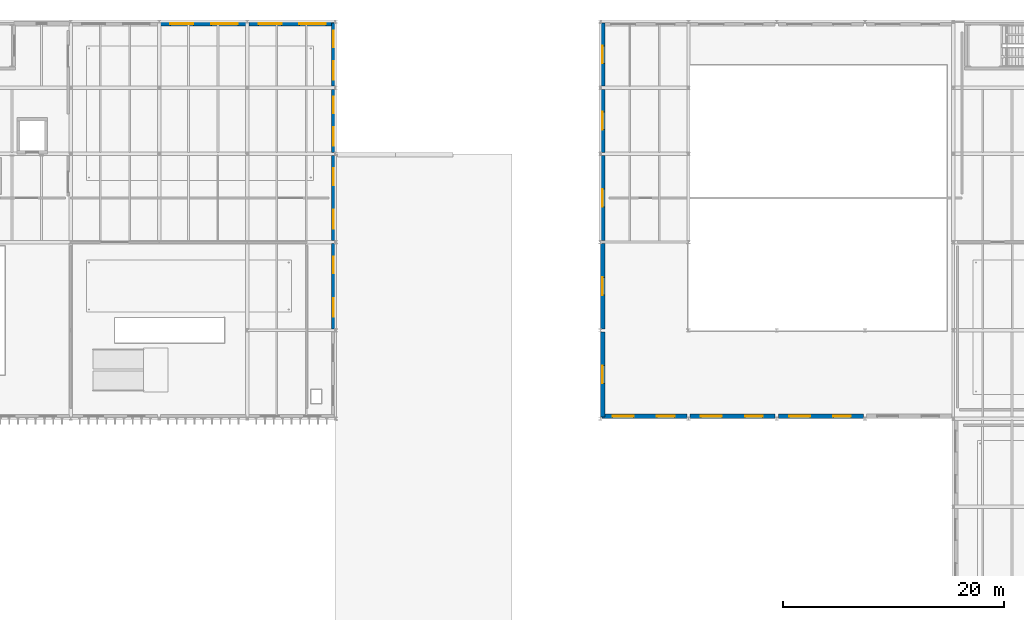
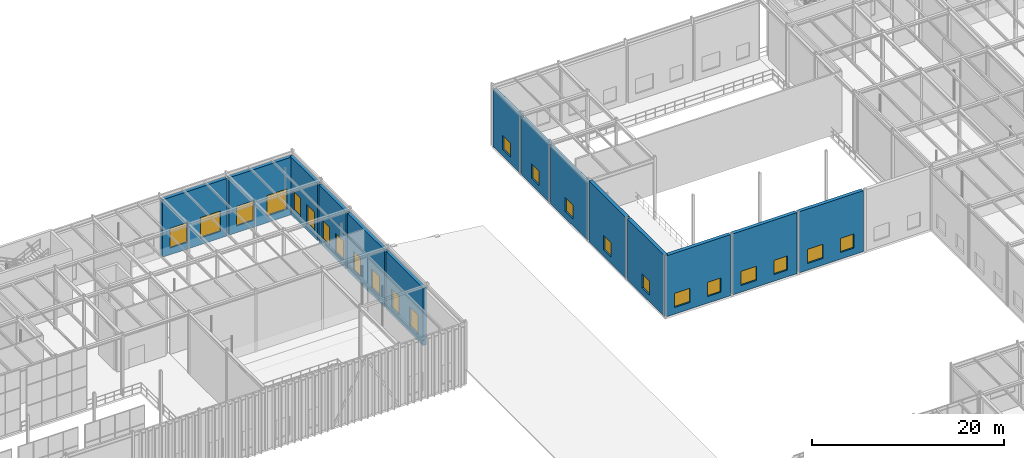
# One storey, part 94 of 138: 23 windows, 14 walls, 23 openings.
"""IFC4 building model written with IfcOpenShell, lengths in metres."""

from ifc_helpers import new_model, si_unit, direction, frame, frame_2d, origin, place, context, subcontext, project, spatial, rectangle, extrude, material, layer, layer_set, type_object, element, fill, save


model = new_model("IFC4")

# Units and contexts
model_context = context("Model", 3, precision=1e-05, world=origin(), true_north=direction((0.0, 1.0)))
body_context = subcontext(model_context, "Body", "Model", "MODEL_VIEW")
ifc_project = project(units=[si_unit("LENGTHUNIT", "METRE"), si_unit("AREAUNIT", "SQUARE_METRE"), si_unit("VOLUMEUNIT", "CUBIC_METRE"), si_unit("PLANEANGLEUNIT", "RADIAN"), si_unit("MASSUNIT", "GRAM", prefix="KILO")], contexts=[model_context])

# Site, building, storey
site_placement = place(None, origin())
site = spatial("IfcSite", under=ifc_project, at=site_placement, CompositionType="ELEMENT")
building_placement = place(site_placement, origin())
building = spatial("IfcBuilding", under=site, at=building_placement, Name="Sundkrona Museum", CompositionType="ELEMENT")
storey_placement = place(building_placement, frame((0.0, 0.0, 9.60009765625)))
storey = spatial("IfcBuildingStorey", under=building, at=storey_placement, Name="L02", CompositionType="ELEMENT", Elevation=9.60009765625)

# Wall, openings, windows
ifc_material_1 = material(Name="Scanian Polychrome Clay Brickwork 390 mm", Category="masonry")
ifc_layer_1 = layer(ifc_material_1, 0.389892578125)
ifc_layer_set_1 = layer_set([ifc_layer_1], Name="Scanian Polychrome Clay Brickwork 390 mm")
wall_type_1 = type_object("IfcWallType", Name="W-EX-390", PredefinedType="SOLIDWALL", material=ifc_layer_set_1)
wall_1_placement = place(storey_placement, frame((64.132080078125, 113.804931640625, 0.0), z_axis=(0.0, 0.0, 1.0), x_axis=(1.0, 0.0, 0.0)))
wall_1 = element("IfcWall", 1, at=wall_1_placement, inside=storey, type_object=wall_type_1, Name="L02 Facade Wall 0152", PredefinedType="SOLIDWALL", context=body_context, shape_type="SweptSolid", body=[
    extrude(rectangle(XDim=7.73583984375, YDim=0.389892578125, at=frame_2d((3.867919921875, 0.0))), origin(), (0.0, 0.0, 1.0), 7.304931640625),
])
opening_1_placement = place(wall_1_placement, frame((0.884033203125, 0.0, 0.85009765625)))
opening_1 = element("IfcOpeningElement", 2, at=opening_1_placement, cuts=wall_1, Name="Opening WN-GL-210x250", PredefinedType="OPENING", context=body_context, shape_type="SweptSolid", body=[
    extrude(rectangle(XDim=2.10009765625, YDim=2.5, at=frame_2d((1.050048828125, 1.25))), frame((0.0, 0.204833984375, 0.0), z_axis=(0.0, -1.0, 0.0), x_axis=(1.0, 0.0, 0.0)), (0.0, 0.0, 1.0), 0.409912109375),
])
opening_2_placement = place(wall_1_placement, frame((4.60205078125, 0.0, 0.85009765625)))
opening_2 = element("IfcOpeningElement", 3, at=opening_2_placement, cuts=wall_1, Name="Opening WN-GL-240x260", PredefinedType="OPENING", context=body_context, shape_type="SweptSolid", body=[
    extrude(rectangle(XDim=2.39990234375, YDim=2.60009765625, at=frame_2d((1.199951171875, 1.300048828125))), frame((0.0, 0.204833984375, 0.0), z_axis=(0.0, -1.0, 0.0), x_axis=(1.0, 0.0, 0.0)), (0.0, 0.0, 1.0), 0.409912109375),
])
ifc_material_2 = material(Name="Triple Low-E Argon Glazing in Bronze-Anodised Aluminium", Category="aluminium")
window_type_1 = type_object("IfcWindowType", Name="WN-GL-210x250", PartitioningType="DOUBLE_PANEL_VERTICAL", PredefinedType="WINDOW", material=ifc_material_2)
window_1_placement = place(opening_1_placement, origin())
window_1 = element("IfcWindow", 4, at=window_1_placement, inside=storey, type_object=window_type_1, Name="L02 Botanical court outlook window 2100x2500 WIN-L02-0208", OverallHeight=2.5, OverallWidth=2.10009765625, PartitioningType="DOUBLE_PANEL_VERTICAL", PredefinedType="WINDOW", context=body_context, shape_type="SweptSolid", body=[
    extrude(rectangle(XDim=2.10009765625, YDim=2.5, at=frame_2d((1.050048828125, 1.25))), frame((0.0, 0.030029296875, 0.0), z_axis=(0.0, -1.0, 0.0), x_axis=(1.0, 0.0, 0.0)), (0.0, 0.0, 1.0), 0.06005859375),
])
fill(opening_1, window_1)
window_type_2 = type_object("IfcWindowType", Name="WN-GL-240x260", PartitioningType="TRIPLE_PANEL_VERTICAL", PredefinedType="WINDOW", material=ifc_material_2)
window_2_placement = place(opening_2_placement, origin())
window_2 = element("IfcWindow", 5, at=window_2_placement, inside=storey, type_object=window_type_2, Name="L02 Cloister garden picture window 2400x2600 WIN-L02-0209", OverallHeight=2.60009765625, OverallWidth=2.39990234375, PartitioningType="TRIPLE_PANEL_VERTICAL", PredefinedType="WINDOW", context=body_context, shape_type="SweptSolid", body=[
    extrude(rectangle(XDim=2.39990234375, YDim=2.60009765625, at=frame_2d((1.199951171875, 1.300048828125))), frame((0.0, 0.030029296875, 0.0), z_axis=(0.0, -1.0, 0.0), x_axis=(1.0, 0.0, 0.0)), (0.0, 0.0, 1.0), 0.06005859375),
])
fill(opening_2, window_2)

wall_2_placement = place(storey_placement, frame((72.132080078125, 113.804931640625, 0.0), z_axis=(0.0, 0.0, 1.0), x_axis=(1.0, 0.0, 0.0)))
wall_2 = element("IfcWall", 6, at=wall_2_placement, inside=storey, type_object=wall_type_1, Name="L02 Facade Wall 0153", PredefinedType="SOLIDWALL", context=body_context, shape_type="SweptSolid", body=[
    extrude(rectangle(XDim=7.725830078125, YDim=0.389892578125, at=frame_2d((3.86279296875, 0.0))), origin(), (0.0, 0.0, 1.0), 7.304931640625),
])
opening_3_placement = place(wall_2_placement, frame((0.881591796875, 0.0, 0.85009765625)))
opening_3 = element("IfcOpeningElement", 7, at=opening_3_placement, cuts=wall_2, Name="Opening WN-GL-210x250", PredefinedType="OPENING", context=body_context, shape_type="SweptSolid", body=[
    extrude(rectangle(XDim=2.10009765625, YDim=2.5, at=frame_2d((1.050048828125, 1.25))), frame((0.0, 0.204833984375, 0.0), z_axis=(0.0, -1.0, 0.0), x_axis=(1.0, 0.0, 0.0)), (0.0, 0.0, 1.0), 0.409912109375),
])
opening_4_placement = place(wall_2_placement, frame((4.594482421875, 0.0, 0.85009765625)))
opening_4 = element("IfcOpeningElement", 8, at=opening_4_placement, cuts=wall_2, Name="Opening WN-GL-240x260", PredefinedType="OPENING", context=body_context, shape_type="SweptSolid", body=[
    extrude(rectangle(XDim=2.39990234375, YDim=2.60009765625, at=frame_2d((1.199951171875, 1.300048828125))), frame((0.0, 0.204833984375, 0.0), z_axis=(0.0, -1.0, 0.0), x_axis=(1.0, 0.0, 0.0)), (0.0, 0.0, 1.0), 0.409912109375),
])
window_3_placement = place(opening_3_placement, origin())
window_3 = element("IfcWindow", 9, at=window_3_placement, inside=storey, type_object=window_type_1, Name="L02 Botanical court outlook window 2100x2500 WIN-L02-0210", OverallHeight=2.5, OverallWidth=2.10009765625, PartitioningType="DOUBLE_PANEL_VERTICAL", PredefinedType="WINDOW", context=body_context, shape_type="SweptSolid", body=[
    extrude(rectangle(XDim=2.10009765625, YDim=2.5, at=frame_2d((1.050048828125, 1.25))), frame((0.0, 0.030029296875, 0.0), z_axis=(0.0, -1.0, 0.0), x_axis=(1.0, 0.0, 0.0)), (0.0, 0.0, 1.0), 0.06005859375),
])
fill(opening_3, window_3)
window_4_placement = place(opening_4_placement, origin())
window_4 = element("IfcWindow", 10, at=window_4_placement, inside=storey, type_object=window_type_2, Name="L02 Cloister garden picture window 2400x2600 WIN-L02-0211", OverallHeight=2.60009765625, OverallWidth=2.39990234375, PartitioningType="TRIPLE_PANEL_VERTICAL", PredefinedType="WINDOW", context=body_context, shape_type="SweptSolid", body=[
    extrude(rectangle(XDim=2.39990234375, YDim=2.60009765625, at=frame_2d((1.199951171875, 1.300048828125))), frame((0.0, 0.030029296875, 0.0), z_axis=(0.0, -1.0, 0.0), x_axis=(1.0, 0.0, 0.0)), (0.0, 0.0, 1.0), 0.06005859375),
])
fill(opening_4, window_4)

wall_3_placement = place(storey_placement, frame((79.804931640625, 93.85791015625, 0.0), z_axis=(0.0, 0.0, 1.0), x_axis=(0.0, -1.0, 0.0)))
wall_3 = element("IfcWall", 11, at=wall_3_placement, inside=storey, type_object=wall_type_1, Name="L02 Facade Wall 0256", PredefinedType="SOLIDWALL", context=body_context, shape_type="SweptSolid", body=[
    extrude(rectangle(XDim=7.7158203125, YDim=0.389892578125, at=frame_2d((3.85791015625, 0.0))), origin(), (0.0, 0.0, 1.0), 7.304931640625),
])
opening_5_placement = place(wall_3_placement, frame((1.178955078125, 0.0, 0.85009765625)))
opening_5 = element("IfcOpeningElement", 12, at=opening_5_placement, cuts=wall_3, Name="Opening WN-GL-150x240", PredefinedType="OPENING", context=body_context, shape_type="SweptSolid", body=[
    extrude(rectangle(XDim=1.5, YDim=2.39990234375, at=frame_2d((0.75, 1.199951171875))), frame((0.0, 0.204833984375, 0.0), z_axis=(0.0, -1.0, 0.0), x_axis=(1.0, 0.0, 0.0)), (0.0, 0.0, 1.0), 0.409912109375),
])
opening_6_placement = place(wall_3_placement, frame((4.93701171875, 0.0, 0.85009765625)))
opening_6 = element("IfcOpeningElement", 13, at=opening_6_placement, cuts=wall_3, Name="Opening WN-GL-170x240", PredefinedType="OPENING", context=body_context, shape_type="SweptSolid", body=[
    extrude(rectangle(XDim=1.699951171875, YDim=2.39990234375, at=frame_2d((0.85009765625, 1.199951171875))), frame((0.0, 0.204833984375, 0.0), z_axis=(0.0, -1.0, 0.0), x_axis=(1.0, 0.0, 0.0)), (0.0, 0.0, 1.0), 0.409912109375),
])
window_type_3 = type_object("IfcWindowType", Name="WN-GL-150x240", PartitioningType="SINGLE_PANEL", PredefinedType="WINDOW", material=ifc_material_2)
window_5_placement = place(opening_5_placement, origin())
window_5 = element("IfcWindow", 14, at=window_5_placement, inside=storey, type_object=window_type_3, Name="L02 Finned wing deep-reveal gallery window 1500x2400 WIN-L02-0352", OverallHeight=2.39990234375, OverallWidth=1.5, PartitioningType="SINGLE_PANEL", PredefinedType="WINDOW", context=body_context, shape_type="SweptSolid", body=[
    extrude(rectangle(XDim=1.5, YDim=2.39990234375, at=frame_2d((0.75, 1.199951171875))), frame((0.0, 0.030029296875, 0.0), z_axis=(0.0, -1.0, 0.0), x_axis=(1.0, 0.0, 0.0)), (0.0, 0.0, 1.0), 0.06005859375),
])
fill(opening_5, window_5)
window_type_4 = type_object("IfcWindowType", Name="WN-GL-170x240", PartitioningType="DOUBLE_PANEL_VERTICAL", PredefinedType="WINDOW", material=ifc_material_2)
window_6_placement = place(opening_6_placement, origin())
window_6 = element("IfcWindow", 15, at=window_6_placement, inside=storey, type_object=window_type_4, Name="L02 Finned wing wide gallery window 1700x2400 WIN-L02-0353", OverallHeight=2.39990234375, OverallWidth=1.699951171875, PartitioningType="DOUBLE_PANEL_VERTICAL", PredefinedType="WINDOW", context=body_context, shape_type="SweptSolid", body=[
    extrude(rectangle(XDim=1.699951171875, YDim=2.39990234375, at=frame_2d((0.85009765625, 1.199951171875))), frame((0.0, 0.030029296875, 0.0), z_axis=(0.0, -1.0, 0.0), x_axis=(1.0, 0.0, 0.0)), (0.0, 0.0, 1.0), 0.06005859375),
])
fill(opening_6, window_6)

wall_4_placement = place(storey_placement, frame((79.804931640625, 101.85791015625, 0.0), z_axis=(0.0, 0.0, 1.0), x_axis=(0.0, -1.0, 0.0)))
wall_4 = element("IfcWall", 16, at=wall_4_placement, inside=storey, type_object=wall_type_1, Name="L02 Facade Wall 0257", PredefinedType="SOLIDWALL", context=body_context, shape_type="SweptSolid", body=[
    extrude(rectangle(XDim=7.7158203125, YDim=0.389892578125, at=frame_2d((3.85791015625, 0.0))), origin(), (0.0, 0.0, 1.0), 7.304931640625),
])
opening_7_placement = place(wall_4_placement, frame((1.178955078125, 0.0, 0.85009765625)))
opening_7 = element("IfcOpeningElement", 17, at=opening_7_placement, cuts=wall_4, Name="Opening WN-GL-150x240", PredefinedType="OPENING", context=body_context, shape_type="SweptSolid", body=[
    extrude(rectangle(XDim=1.5, YDim=2.39990234375, at=frame_2d((0.75, 1.199951171875))), frame((0.0, 0.204833984375, 0.0), z_axis=(0.0, -1.0, 0.0), x_axis=(1.0, 0.0, 0.0)), (0.0, 0.0, 1.0), 0.409912109375),
])
opening_8_placement = place(wall_4_placement, frame((4.93701171875, 0.0, 0.85009765625)))
opening_8 = element("IfcOpeningElement", 18, at=opening_8_placement, cuts=wall_4, Name="Opening WN-GL-170x240", PredefinedType="OPENING", context=body_context, shape_type="SweptSolid", body=[
    extrude(rectangle(XDim=1.699951171875, YDim=2.39990234375, at=frame_2d((0.85009765625, 1.199951171875))), frame((0.0, 0.204833984375, 0.0), z_axis=(0.0, -1.0, 0.0), x_axis=(1.0, 0.0, 0.0)), (0.0, 0.0, 1.0), 0.409912109375),
])
window_7_placement = place(opening_7_placement, origin())
window_7 = element("IfcWindow", 19, at=window_7_placement, inside=storey, type_object=window_type_3, Name="L02 Finned wing deep-reveal gallery window 1500x2400 WIN-L02-0354", OverallHeight=2.39990234375, OverallWidth=1.5, PartitioningType="SINGLE_PANEL", PredefinedType="WINDOW", context=body_context, shape_type="SweptSolid", body=[
    extrude(rectangle(XDim=1.5, YDim=2.39990234375, at=frame_2d((0.75, 1.199951171875))), frame((0.0, 0.030029296875, 0.0), z_axis=(0.0, -1.0, 0.0), x_axis=(1.0, 0.0, 0.0)), (0.0, 0.0, 1.0), 0.06005859375),
])
fill(opening_7, window_7)
window_8_placement = place(opening_8_placement, origin())
window_8 = element("IfcWindow", 20, at=window_8_placement, inside=storey, type_object=window_type_4, Name="L02 Finned wing wide gallery window 1700x2400 WIN-L02-0355", OverallHeight=2.39990234375, OverallWidth=1.699951171875, PartitioningType="DOUBLE_PANEL_VERTICAL", PredefinedType="WINDOW", context=body_context, shape_type="SweptSolid", body=[
    extrude(rectangle(XDim=1.699951171875, YDim=2.39990234375, at=frame_2d((0.85009765625, 1.199951171875))), frame((0.0, 0.030029296875, 0.0), z_axis=(0.0, -1.0, 0.0), x_axis=(1.0, 0.0, 0.0)), (0.0, 0.0, 1.0), 0.06005859375),
])
fill(opening_8, window_8)

wall_5_placement = place(storey_placement, frame((79.804931640625, 107.85791015625, 0.0), z_axis=(0.0, 0.0, 1.0), x_axis=(0.0, -1.0, 0.0)))
wall_5 = element("IfcWall", 21, at=wall_5_placement, inside=storey, type_object=wall_type_1, Name="L02 Facade Wall 0258", PredefinedType="SOLIDWALL", context=body_context, shape_type="SweptSolid", body=[
    extrude(rectangle(XDim=5.7158203125, YDim=0.389892578125, at=frame_2d((2.85791015625, 0.0))), origin(), (0.0, 0.0, 1.0), 7.304931640625),
])
opening_9_placement = place(wall_5_placement, frame((0.678955078125, 0.0, 0.85009765625)))
opening_9 = element("IfcOpeningElement", 22, at=opening_9_placement, cuts=wall_5, Name="Opening WN-GL-150x240", PredefinedType="OPENING", context=body_context, shape_type="SweptSolid", body=[
    extrude(rectangle(XDim=1.5, YDim=2.39990234375, at=frame_2d((0.75, 1.199951171875))), frame((0.0, 0.204833984375, 0.0), z_axis=(0.0, -1.0, 0.0), x_axis=(1.0, 0.0, 0.0)), (0.0, 0.0, 1.0), 0.409912109375),
])
opening_10_placement = place(wall_5_placement, frame((3.43701171875, 0.0, 0.85009765625)))
opening_10 = element("IfcOpeningElement", 23, at=opening_10_placement, cuts=wall_5, Name="Opening WN-GL-170x240", PredefinedType="OPENING", context=body_context, shape_type="SweptSolid", body=[
    extrude(rectangle(XDim=1.699951171875, YDim=2.39990234375, at=frame_2d((0.85009765625, 1.199951171875))), frame((0.0, 0.204833984375, 0.0), z_axis=(0.0, -1.0, 0.0), x_axis=(1.0, 0.0, 0.0)), (0.0, 0.0, 1.0), 0.409912109375),
])
window_9_placement = place(opening_9_placement, origin())
window_9 = element("IfcWindow", 24, at=window_9_placement, inside=storey, type_object=window_type_3, Name="L02 Finned wing deep-reveal gallery window 1500x2400 WIN-L02-0356", OverallHeight=2.39990234375, OverallWidth=1.5, PartitioningType="SINGLE_PANEL", PredefinedType="WINDOW", context=body_context, shape_type="SweptSolid", body=[
    extrude(rectangle(XDim=1.5, YDim=2.39990234375, at=frame_2d((0.75, 1.199951171875))), frame((0.0, 0.030029296875, 0.0), z_axis=(0.0, -1.0, 0.0), x_axis=(1.0, 0.0, 0.0)), (0.0, 0.0, 1.0), 0.06005859375),
])
fill(opening_9, window_9)
window_10_placement = place(opening_10_placement, origin())
window_10 = element("IfcWindow", 25, at=window_10_placement, inside=storey, type_object=window_type_4, Name="L02 Finned wing wide gallery window 1700x2400 WIN-L02-0357", OverallHeight=2.39990234375, OverallWidth=1.699951171875, PartitioningType="DOUBLE_PANEL_VERTICAL", PredefinedType="WINDOW", context=body_context, shape_type="SweptSolid", body=[
    extrude(rectangle(XDim=1.699951171875, YDim=2.39990234375, at=frame_2d((0.85009765625, 1.199951171875))), frame((0.0, 0.030029296875, 0.0), z_axis=(0.0, -1.0, 0.0), x_axis=(1.0, 0.0, 0.0)), (0.0, 0.0, 1.0), 0.06005859375),
])
fill(opening_10, window_10)

wall_6_placement = place(storey_placement, frame((79.804931640625, 113.85791015625, 0.0), z_axis=(0.0, 0.0, 1.0), x_axis=(0.0, -1.0, 0.0)))
wall_6 = element("IfcWall", 26, at=wall_6_placement, inside=storey, type_object=wall_type_1, Name="L02 Facade Wall 0259", PredefinedType="SOLIDWALL", context=body_context, shape_type="SweptSolid", body=[
    extrude(rectangle(XDim=5.7158203125, YDim=0.389892578125, at=frame_2d((2.85791015625, 0.0))), origin(), (0.0, 0.0, 1.0), 7.304931640625),
])
opening_11_placement = place(wall_6_placement, frame((0.678955078125, 0.0, 0.85009765625)))
opening_11 = element("IfcOpeningElement", 27, at=opening_11_placement, cuts=wall_6, Name="Opening WN-GL-150x240", PredefinedType="OPENING", context=body_context, shape_type="SweptSolid", body=[
    extrude(rectangle(XDim=1.5, YDim=2.39990234375, at=frame_2d((0.75, 1.199951171875))), frame((0.0, 0.204833984375, 0.0), z_axis=(0.0, -1.0, 0.0), x_axis=(1.0, 0.0, 0.0)), (0.0, 0.0, 1.0), 0.409912109375),
])
opening_12_placement = place(wall_6_placement, frame((3.43701171875, 0.0, 0.85009765625)))
opening_12 = element("IfcOpeningElement", 28, at=opening_12_placement, cuts=wall_6, Name="Opening WN-GL-170x240", PredefinedType="OPENING", context=body_context, shape_type="SweptSolid", body=[
    extrude(rectangle(XDim=1.699951171875, YDim=2.39990234375, at=frame_2d((0.85009765625, 1.199951171875))), frame((0.0, 0.204833984375, 0.0), z_axis=(0.0, -1.0, 0.0), x_axis=(1.0, 0.0, 0.0)), (0.0, 0.0, 1.0), 0.409912109375),
])
window_11_placement = place(opening_11_placement, origin())
window_11 = element("IfcWindow", 29, at=window_11_placement, inside=storey, type_object=window_type_3, Name="L02 Finned wing deep-reveal gallery window 1500x2400 WIN-L02-0358", OverallHeight=2.39990234375, OverallWidth=1.5, PartitioningType="SINGLE_PANEL", PredefinedType="WINDOW", context=body_context, shape_type="SweptSolid", body=[
    extrude(rectangle(XDim=1.5, YDim=2.39990234375, at=frame_2d((0.75, 1.199951171875))), frame((0.0, 0.030029296875, 0.0), z_axis=(0.0, -1.0, 0.0), x_axis=(1.0, 0.0, 0.0)), (0.0, 0.0, 1.0), 0.06005859375),
])
fill(opening_11, window_11)
window_12_placement = place(opening_12_placement, origin())
window_12 = element("IfcWindow", 30, at=window_12_placement, inside=storey, type_object=window_type_4, Name="L02 Finned wing wide gallery window 1700x2400 WIN-L02-0359", OverallHeight=2.39990234375, OverallWidth=1.699951171875, PartitioningType="DOUBLE_PANEL_VERTICAL", PredefinedType="WINDOW", context=body_context, shape_type="SweptSolid", body=[
    extrude(rectangle(XDim=1.699951171875, YDim=2.39990234375, at=frame_2d((0.85009765625, 1.199951171875))), frame((0.0, 0.030029296875, 0.0), z_axis=(0.0, -1.0, 0.0), x_axis=(1.0, 0.0, 0.0)), (0.0, 0.0, 1.0), 0.06005859375),
])
fill(opening_12, window_12)

# Wall, opening, window
ifc_material_3 = material(Name="Scanian Polychrome Clay Brickwork 420 mm", Category="masonry")
ifc_layer_2 = layer(ifc_material_3, 0.419921875)
ifc_layer_set_2 = layer_set([ifc_layer_2], Name="Scanian Polychrome Clay Brickwork 420 mm")
wall_type_2 = type_object("IfcWallType", Name="W-EX-420", PredefinedType="SOLIDWALL", material=ifc_layer_set_2)
wall_7_placement = place(storey_placement, frame((104.2099609375, 78.14208984375, 0.0), z_axis=(0.0, 0.0, 1.0), x_axis=(0.0, 1.0, 0.0)))
wall_7 = element("IfcWall", 31, at=wall_7_placement, inside=storey, type_object=wall_type_2, Name="L02 Facade Wall 0291", PredefinedType="SOLIDWALL", context=body_context, shape_type="SweptSolid", body=[
    extrude(rectangle(XDim=7.7158203125, YDim=0.419921875, at=frame_2d((3.85791015625, 0.0))), origin(), (0.0, 0.0, 1.0), 7.760009765625),
])
opening_13_placement = place(wall_7_placement, frame((3.05810546875, 0.0, 0.85009765625)))
opening_13 = element("IfcOpeningElement", 32, at=opening_13_placement, cuts=wall_7, Name="Opening WN-LB-160x180", PredefinedType="OPENING", context=body_context, shape_type="SweptSolid", body=[
    extrude(rectangle(XDim=1.60009765625, YDim=1.800048828125, at=frame_2d((0.800048828125, 0.89990234375))), frame((0.0, 0.219970703125, 0.0), z_axis=(0.0, -1.0, 0.0), x_axis=(1.0, 0.0, 0.0)), (0.0, 0.0, 1.0), 0.43994140625),
])
window_type_5 = type_object("IfcWindowType", Name="WN-LB-160x180", PartitioningType="DOUBLE_PANEL_VERTICAL", PredefinedType="WINDOW", material=ifc_material_2)
window_13_placement = place(opening_13_placement, origin())
window_13 = element("IfcWindow", 33, at=window_13_placement, inside=storey, type_object=window_type_5, Name="L02 Conservation laboratory deep-reveal window 1600x1800 WIN-L02-0396", OverallHeight=1.800048828125, OverallWidth=1.60009765625, PartitioningType="DOUBLE_PANEL_VERTICAL", PredefinedType="WINDOW", context=body_context, shape_type="SweptSolid", body=[
    extrude(rectangle(XDim=1.60009765625, YDim=1.800048828125, at=frame_2d((0.800048828125, 0.89990234375))), frame((0.0, 0.030029296875, 0.0), z_axis=(0.0, -1.0, 0.0), x_axis=(1.0, 0.0, 0.0)), (0.0, 0.0, 1.0), 0.06005859375),
])
fill(opening_13, window_13)

wall_8_placement = place(storey_placement, frame((104.2099609375, 86.14208984375, 0.0), z_axis=(0.0, 0.0, 1.0), x_axis=(0.0, 1.0, 0.0)))
wall_8 = element("IfcWall", 34, at=wall_8_placement, inside=storey, type_object=wall_type_2, Name="L02 Facade Wall 0292", PredefinedType="SOLIDWALL", context=body_context, shape_type="SweptSolid", body=[
    extrude(rectangle(XDim=7.7158203125, YDim=0.419921875, at=frame_2d((3.85791015625, 0.0))), origin(), (0.0, 0.0, 1.0), 7.760009765625),
])
opening_14_placement = place(wall_8_placement, frame((3.05810546875, 0.0, 0.85009765625)))
opening_14 = element("IfcOpeningElement", 35, at=opening_14_placement, cuts=wall_8, Name="Opening WN-LB-160x180", PredefinedType="OPENING", context=body_context, shape_type="SweptSolid", body=[
    extrude(rectangle(XDim=1.60009765625, YDim=1.800048828125, at=frame_2d((0.800048828125, 0.89990234375))), frame((0.0, 0.219970703125, 0.0), z_axis=(0.0, -1.0, 0.0), x_axis=(1.0, 0.0, 0.0)), (0.0, 0.0, 1.0), 0.43994140625),
])
window_14_placement = place(opening_14_placement, origin())
window_14 = element("IfcWindow", 36, at=window_14_placement, inside=storey, type_object=window_type_5, Name="L02 Conservation laboratory deep-reveal window 1600x1800 WIN-L02-0397", OverallHeight=1.800048828125, OverallWidth=1.60009765625, PartitioningType="DOUBLE_PANEL_VERTICAL", PredefinedType="WINDOW", context=body_context, shape_type="SweptSolid", body=[
    extrude(rectangle(XDim=1.60009765625, YDim=1.800048828125, at=frame_2d((0.800048828125, 0.89990234375))), frame((0.0, 0.030029296875, 0.0), z_axis=(0.0, -1.0, 0.0), x_axis=(1.0, 0.0, 0.0)), (0.0, 0.0, 1.0), 0.06005859375),
])
fill(opening_14, window_14)

wall_9_placement = place(storey_placement, frame((104.2099609375, 94.14208984375, 0.0), z_axis=(0.0, 0.0, 1.0), x_axis=(0.0, 1.0, 0.0)))
wall_9 = element("IfcWall", 37, at=wall_9_placement, inside=storey, type_object=wall_type_2, Name="L02 Facade Wall 0293", PredefinedType="SOLIDWALL", context=body_context, shape_type="SweptSolid", body=[
    extrude(rectangle(XDim=7.7158203125, YDim=0.419921875, at=frame_2d((3.85791015625, 0.0))), origin(), (0.0, 0.0, 1.0), 7.284912109375),
])
opening_15_placement = place(wall_9_placement, frame((3.05810546875, 0.0, 0.85009765625)))
opening_15 = element("IfcOpeningElement", 38, at=opening_15_placement, cuts=wall_9, Name="Opening WN-LB-160x180", PredefinedType="OPENING", context=body_context, shape_type="SweptSolid", body=[
    extrude(rectangle(XDim=1.60009765625, YDim=1.800048828125, at=frame_2d((0.800048828125, 0.89990234375))), frame((0.0, 0.219970703125, 0.0), z_axis=(0.0, -1.0, 0.0), x_axis=(1.0, 0.0, 0.0)), (0.0, 0.0, 1.0), 0.43994140625),
])
window_15_placement = place(opening_15_placement, origin())
window_15 = element("IfcWindow", 39, at=window_15_placement, inside=storey, type_object=window_type_5, Name="L02 Conservation laboratory deep-reveal window 1600x1800 WIN-L02-0398", OverallHeight=1.800048828125, OverallWidth=1.60009765625, PartitioningType="DOUBLE_PANEL_VERTICAL", PredefinedType="WINDOW", context=body_context, shape_type="SweptSolid", body=[
    extrude(rectangle(XDim=1.60009765625, YDim=1.800048828125, at=frame_2d((0.800048828125, 0.89990234375))), frame((0.0, 0.030029296875, 0.0), z_axis=(0.0, -1.0, 0.0), x_axis=(1.0, 0.0, 0.0)), (0.0, 0.0, 1.0), 0.06005859375),
])
fill(opening_15, window_15)

wall_10_placement = place(storey_placement, frame((104.2099609375, 102.14208984375, 0.0), z_axis=(0.0, 0.0, 1.0), x_axis=(0.0, 1.0, 0.0)))
wall_10 = element("IfcWall", 40, at=wall_10_placement, inside=storey, type_object=wall_type_2, Name="L02 Facade Wall 0294", PredefinedType="SOLIDWALL", context=body_context, shape_type="SweptSolid", body=[
    extrude(rectangle(XDim=5.7158203125, YDim=0.419921875, at=frame_2d((2.85791015625, 0.0))), origin(), (0.0, 0.0, 1.0), 7.284912109375),
])
opening_16_placement = place(wall_10_placement, frame((2.05810546875, 0.0, 0.85009765625)))
opening_16 = element("IfcOpeningElement", 41, at=opening_16_placement, cuts=wall_10, Name="Opening WN-LB-160x180", PredefinedType="OPENING", context=body_context, shape_type="SweptSolid", body=[
    extrude(rectangle(XDim=1.60009765625, YDim=1.800048828125, at=frame_2d((0.800048828125, 0.89990234375))), frame((0.0, 0.219970703125, 0.0), z_axis=(0.0, -1.0, 0.0), x_axis=(1.0, 0.0, 0.0)), (0.0, 0.0, 1.0), 0.43994140625),
])
window_16_placement = place(opening_16_placement, origin())
window_16 = element("IfcWindow", 42, at=window_16_placement, inside=storey, type_object=window_type_5, Name="L02 Conservation laboratory deep-reveal window 1600x1800 WIN-L02-0399", OverallHeight=1.800048828125, OverallWidth=1.60009765625, PartitioningType="DOUBLE_PANEL_VERTICAL", PredefinedType="WINDOW", context=body_context, shape_type="SweptSolid", body=[
    extrude(rectangle(XDim=1.60009765625, YDim=1.800048828125, at=frame_2d((0.800048828125, 0.89990234375))), frame((0.0, 0.030029296875, 0.0), z_axis=(0.0, -1.0, 0.0), x_axis=(1.0, 0.0, 0.0)), (0.0, 0.0, 1.0), 0.06005859375),
])
fill(opening_16, window_16)

wall_11_placement = place(storey_placement, frame((104.2099609375, 108.14208984375, 0.0), z_axis=(0.0, 0.0, 1.0), x_axis=(0.0, 1.0, 0.0)))
wall_11 = element("IfcWall", 43, at=wall_11_placement, inside=storey, type_object=wall_type_2, Name="L02 Facade Wall 0295", PredefinedType="SOLIDWALL", context=body_context, shape_type="SweptSolid", body=[
    extrude(rectangle(XDim=5.7158203125, YDim=0.419921875, at=frame_2d((2.85791015625, 0.0))), origin(), (0.0, 0.0, 1.0), 7.284912109375),
])
opening_17_placement = place(wall_11_placement, frame((2.05810546875, 0.0, 0.85009765625)))
opening_17 = element("IfcOpeningElement", 44, at=opening_17_placement, cuts=wall_11, Name="Opening WN-LB-160x180", PredefinedType="OPENING", context=body_context, shape_type="SweptSolid", body=[
    extrude(rectangle(XDim=1.60009765625, YDim=1.800048828125, at=frame_2d((0.800048828125, 0.89990234375))), frame((0.0, 0.219970703125, 0.0), z_axis=(0.0, -1.0, 0.0), x_axis=(1.0, 0.0, 0.0)), (0.0, 0.0, 1.0), 0.43994140625),
])
window_17_placement = place(opening_17_placement, origin())
window_17 = element("IfcWindow", 45, at=window_17_placement, inside=storey, type_object=window_type_5, Name="L02 Conservation laboratory deep-reveal window 1600x1800 WIN-L02-0400", OverallHeight=1.800048828125, OverallWidth=1.60009765625, PartitioningType="DOUBLE_PANEL_VERTICAL", PredefinedType="WINDOW", context=body_context, shape_type="SweptSolid", body=[
    extrude(rectangle(XDim=1.60009765625, YDim=1.800048828125, at=frame_2d((0.800048828125, 0.89990234375))), frame((0.0, 0.030029296875, 0.0), z_axis=(0.0, -1.0, 0.0), x_axis=(1.0, 0.0, 0.0)), (0.0, 0.0, 1.0), 0.06005859375),
])
fill(opening_17, window_17)

# Wall, openings, windows
wall_12_placement = place(storey_placement, frame((111.85791015625, 78.2099609375, 0.0), z_axis=(0.0, 0.0, 1.0), x_axis=(-1.0, 0.0, 0.0)))
wall_12 = element("IfcWall", 46, at=wall_12_placement, inside=storey, type_object=wall_type_2, Name="L02 Facade Wall 0296", PredefinedType="SOLIDWALL", context=body_context, shape_type="SweptSolid", body=[
    extrude(rectangle(XDim=7.7158203125, YDim=0.419921875, at=frame_2d((3.85791015625, 0.0))), origin(), (0.0, 0.0, 1.0), 7.760009765625),
])
opening_18_placement = place(wall_12_placement, frame((1.12890625, 0.0, 0.85009765625)))
opening_18 = element("IfcOpeningElement", 47, at=opening_18_placement, cuts=wall_12, Name="Opening WN-LB-160x180", PredefinedType="OPENING", context=body_context, shape_type="SweptSolid", body=[
    extrude(rectangle(XDim=1.60009765625, YDim=1.800048828125, at=frame_2d((0.800048828125, 0.89990234375))), frame((0.0, 0.219970703125, 0.0), z_axis=(0.0, -1.0, 0.0), x_axis=(1.0, 0.0, 0.0)), (0.0, 0.0, 1.0), 0.43994140625),
])
opening_19_placement = place(wall_12_placement, frame((4.8369140625, 0.0, 0.85009765625)))
opening_19 = element("IfcOpeningElement", 48, at=opening_19_placement, cuts=wall_12, Name="Opening WN-LB-190x180", PredefinedType="OPENING", context=body_context, shape_type="SweptSolid", body=[
    extrude(rectangle(XDim=1.89990234375, YDim=1.800048828125, at=frame_2d((0.949951171875, 0.89990234375))), frame((0.0, 0.219970703125, 0.0), z_axis=(0.0, -1.0, 0.0), x_axis=(1.0, 0.0, 0.0)), (0.0, 0.0, 1.0), 0.43994140625),
])
window_18_placement = place(opening_18_placement, origin())
window_18 = element("IfcWindow", 49, at=window_18_placement, inside=storey, type_object=window_type_5, Name="L02 Conservation laboratory deep-reveal window 1600x1800 WIN-L02-0401", OverallHeight=1.800048828125, OverallWidth=1.60009765625, PartitioningType="DOUBLE_PANEL_VERTICAL", PredefinedType="WINDOW", context=body_context, shape_type="SweptSolid", body=[
    extrude(rectangle(XDim=1.60009765625, YDim=1.800048828125, at=frame_2d((0.800048828125, 0.89990234375))), frame((0.0, 0.030029296875, 0.0), z_axis=(0.0, -1.0, 0.0), x_axis=(1.0, 0.0, 0.0)), (0.0, 0.0, 1.0), 0.06005859375),
])
fill(opening_18, window_18)
window_type_6 = type_object("IfcWindowType", Name="WN-LB-190x180", PartitioningType="DOUBLE_PANEL_VERTICAL", PredefinedType="WINDOW", material=ifc_material_2)
window_19_placement = place(opening_19_placement, origin())
window_19 = element("IfcWindow", 50, at=window_19_placement, inside=storey, type_object=window_type_6, Name="L02 Analytical studio bench-height window 1900x1800 WIN-L02-0402", OverallHeight=1.800048828125, OverallWidth=1.89990234375, PartitioningType="DOUBLE_PANEL_VERTICAL", PredefinedType="WINDOW", context=body_context, shape_type="SweptSolid", body=[
    extrude(rectangle(XDim=1.89990234375, YDim=1.800048828125, at=frame_2d((0.949951171875, 0.89990234375))), frame((0.0, 0.030029296875, 0.0), z_axis=(0.0, -1.0, 0.0), x_axis=(1.0, 0.0, 0.0)), (0.0, 0.0, 1.0), 0.06005859375),
])
fill(opening_19, window_19)

wall_13_placement = place(storey_placement, frame((119.85791015625, 78.2099609375, 0.0), z_axis=(0.0, 0.0, 1.0), x_axis=(-1.0, 0.0, 0.0)))
wall_13 = element("IfcWall", 51, at=wall_13_placement, inside=storey, type_object=wall_type_2, Name="L02 Facade Wall 0297", PredefinedType="SOLIDWALL", context=body_context, shape_type="SweptSolid", body=[
    extrude(rectangle(XDim=7.7158203125, YDim=0.419921875, at=frame_2d((3.85791015625, 0.0))), origin(), (0.0, 0.0, 1.0), 7.760009765625),
])
opening_20_placement = place(wall_13_placement, frame((1.12890625, 0.0, 0.85009765625)))
opening_20 = element("IfcOpeningElement", 52, at=opening_20_placement, cuts=wall_13, Name="Opening WN-LB-160x180", PredefinedType="OPENING", context=body_context, shape_type="SweptSolid", body=[
    extrude(rectangle(XDim=1.60009765625, YDim=1.800048828125, at=frame_2d((0.800048828125, 0.89990234375))), frame((0.0, 0.219970703125, 0.0), z_axis=(0.0, -1.0, 0.0), x_axis=(1.0, 0.0, 0.0)), (0.0, 0.0, 1.0), 0.43994140625),
])
opening_21_placement = place(wall_13_placement, frame((4.8369140625, 0.0, 0.85009765625)))
opening_21 = element("IfcOpeningElement", 53, at=opening_21_placement, cuts=wall_13, Name="Opening WN-LB-190x180", PredefinedType="OPENING", context=body_context, shape_type="SweptSolid", body=[
    extrude(rectangle(XDim=1.89990234375, YDim=1.800048828125, at=frame_2d((0.949951171875, 0.89990234375))), frame((0.0, 0.219970703125, 0.0), z_axis=(0.0, -1.0, 0.0), x_axis=(1.0, 0.0, 0.0)), (0.0, 0.0, 1.0), 0.43994140625),
])
window_20_placement = place(opening_20_placement, origin())
window_20 = element("IfcWindow", 54, at=window_20_placement, inside=storey, type_object=window_type_5, Name="L02 Conservation laboratory deep-reveal window 1600x1800 WIN-L02-0403", OverallHeight=1.800048828125, OverallWidth=1.60009765625, PartitioningType="DOUBLE_PANEL_VERTICAL", PredefinedType="WINDOW", context=body_context, shape_type="SweptSolid", body=[
    extrude(rectangle(XDim=1.60009765625, YDim=1.800048828125, at=frame_2d((0.800048828125, 0.89990234375))), frame((0.0, 0.030029296875, 0.0), z_axis=(0.0, -1.0, 0.0), x_axis=(1.0, 0.0, 0.0)), (0.0, 0.0, 1.0), 0.06005859375),
])
fill(opening_20, window_20)
window_21_placement = place(opening_21_placement, origin())
window_21 = element("IfcWindow", 55, at=window_21_placement, inside=storey, type_object=window_type_6, Name="L02 Analytical studio bench-height window 1900x1800 WIN-L02-0404", OverallHeight=1.800048828125, OverallWidth=1.89990234375, PartitioningType="DOUBLE_PANEL_VERTICAL", PredefinedType="WINDOW", context=body_context, shape_type="SweptSolid", body=[
    extrude(rectangle(XDim=1.89990234375, YDim=1.800048828125, at=frame_2d((0.949951171875, 0.89990234375))), frame((0.0, 0.030029296875, 0.0), z_axis=(0.0, -1.0, 0.0), x_axis=(1.0, 0.0, 0.0)), (0.0, 0.0, 1.0), 0.06005859375),
])
fill(opening_21, window_21)

wall_14_placement = place(storey_placement, frame((127.85791015625, 78.2099609375, 0.0), z_axis=(0.0, 0.0, 1.0), x_axis=(-1.0, 0.0, 0.0)))
wall_14 = element("IfcWall", 56, at=wall_14_placement, inside=storey, type_object=wall_type_2, Name="L02 Facade Wall 0298", PredefinedType="SOLIDWALL", context=body_context, shape_type="SweptSolid", body=[
    extrude(rectangle(XDim=7.7158203125, YDim=0.419921875, at=frame_2d((3.85791015625, 0.0))), origin(), (0.0, 0.0, 1.0), 7.760009765625),
])
opening_22_placement = place(wall_14_placement, frame((1.12890625, 0.0, 0.85009765625)))
opening_22 = element("IfcOpeningElement", 57, at=opening_22_placement, cuts=wall_14, Name="Opening WN-LB-160x180", PredefinedType="OPENING", context=body_context, shape_type="SweptSolid", body=[
    extrude(rectangle(XDim=1.60009765625, YDim=1.800048828125, at=frame_2d((0.800048828125, 0.89990234375))), frame((0.0, 0.219970703125, 0.0), z_axis=(0.0, -1.0, 0.0), x_axis=(1.0, 0.0, 0.0)), (0.0, 0.0, 1.0), 0.43994140625),
])
opening_23_placement = place(wall_14_placement, frame((4.8369140625, 0.0, 0.85009765625)))
opening_23 = element("IfcOpeningElement", 58, at=opening_23_placement, cuts=wall_14, Name="Opening WN-LB-190x180", PredefinedType="OPENING", context=body_context, shape_type="SweptSolid", body=[
    extrude(rectangle(XDim=1.89990234375, YDim=1.800048828125, at=frame_2d((0.949951171875, 0.89990234375))), frame((0.0, 0.219970703125, 0.0), z_axis=(0.0, -1.0, 0.0), x_axis=(1.0, 0.0, 0.0)), (0.0, 0.0, 1.0), 0.43994140625),
])
window_22_placement = place(opening_22_placement, origin())
window_22 = element("IfcWindow", 59, at=window_22_placement, inside=storey, type_object=window_type_5, Name="L02 Conservation laboratory deep-reveal window 1600x1800 WIN-L02-0405", OverallHeight=1.800048828125, OverallWidth=1.60009765625, PartitioningType="DOUBLE_PANEL_VERTICAL", PredefinedType="WINDOW", context=body_context, shape_type="SweptSolid", body=[
    extrude(rectangle(XDim=1.60009765625, YDim=1.800048828125, at=frame_2d((0.800048828125, 0.89990234375))), frame((0.0, 0.030029296875, 0.0), z_axis=(0.0, -1.0, 0.0), x_axis=(1.0, 0.0, 0.0)), (0.0, 0.0, 1.0), 0.06005859375),
])
fill(opening_22, window_22)
window_23_placement = place(opening_23_placement, origin())
window_23 = element("IfcWindow", 60, at=window_23_placement, inside=storey, type_object=window_type_6, Name="L02 Analytical studio bench-height window 1900x1800 WIN-L02-0406", OverallHeight=1.800048828125, OverallWidth=1.89990234375, PartitioningType="DOUBLE_PANEL_VERTICAL", PredefinedType="WINDOW", context=body_context, shape_type="SweptSolid", body=[
    extrude(rectangle(XDim=1.89990234375, YDim=1.800048828125, at=frame_2d((0.949951171875, 0.89990234375))), frame((0.0, 0.030029296875, 0.0), z_axis=(0.0, -1.0, 0.0), x_axis=(1.0, 0.0, 0.0)), (0.0, 0.0, 1.0), 0.06005859375),
])
fill(opening_23, window_23)

save(model, "model.ifc")
